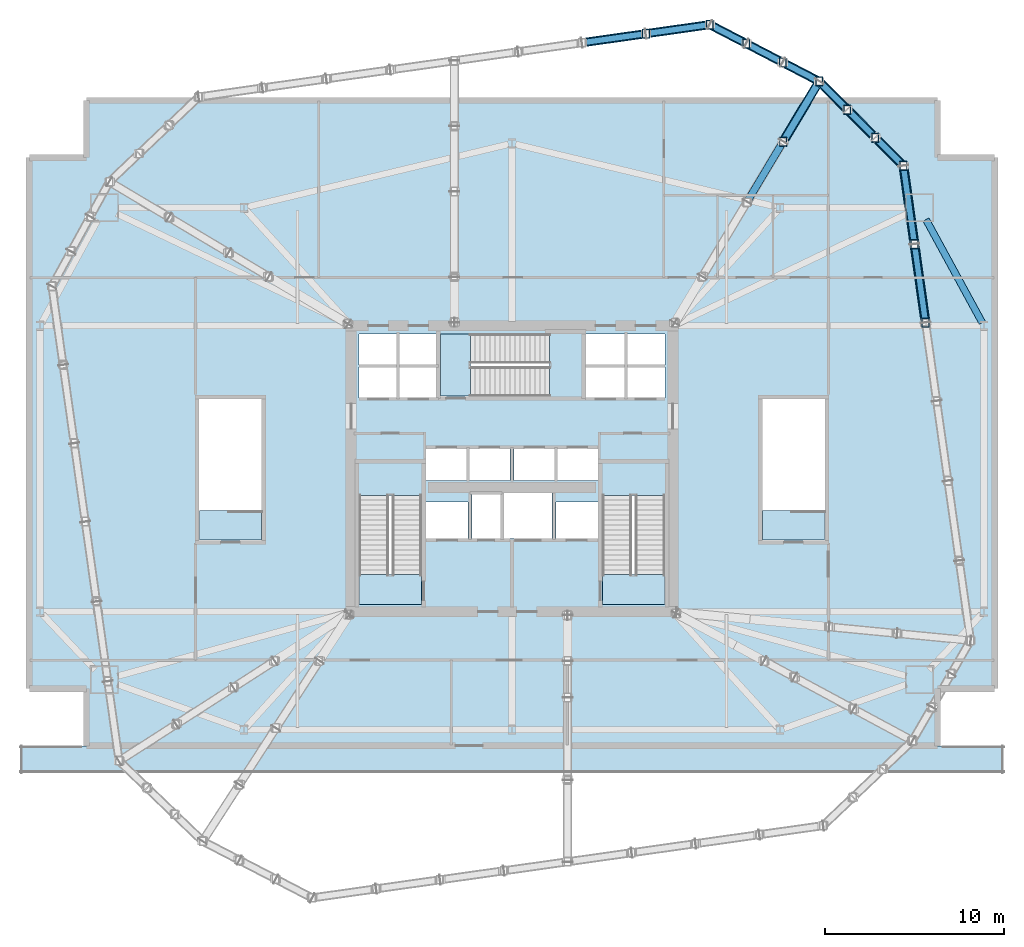
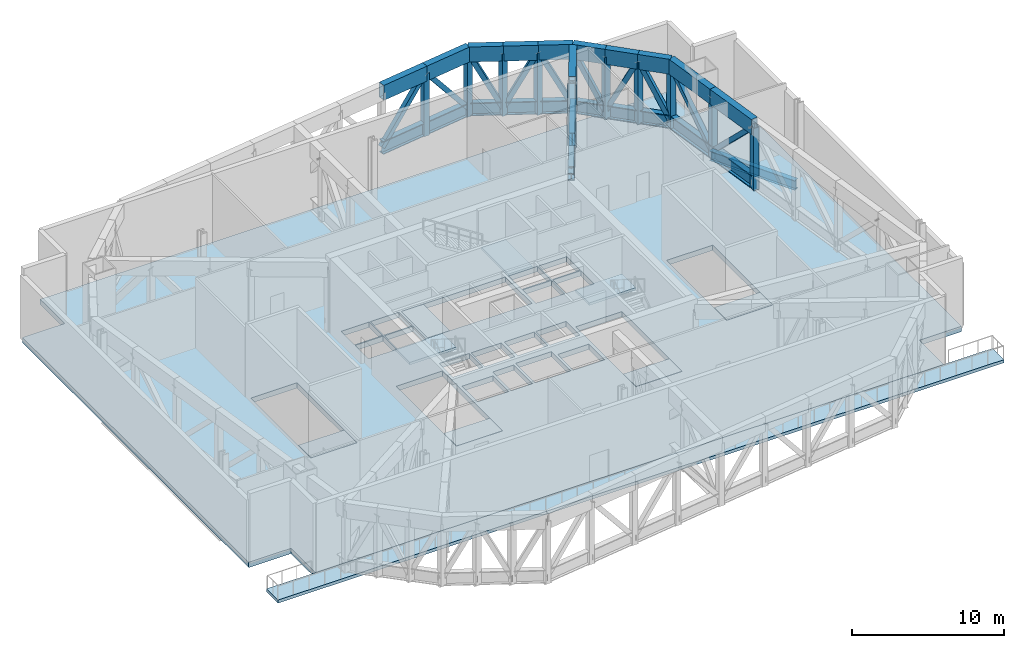
# One storey, part 5 of 15: 46 members, 10 slabs, 1 beam, 3 elements without a shape of their own.
"""IFC4 building model written with IfcOpenShell, lengths in metres."""

from ifc_helpers import new_model, si_unit, direction, frame, origin, origin_2d, place, context, subcontext, project, spatial, polyline, hollow_rectangle, i_section, outline, extrude, material, layer, layer_set, material_profile, profile_set, type_object, element, aggregate, save


model = new_model("IFC4")

# Units and contexts
model_context = context("Model", 3, precision=1e-05, world=origin(), true_north=direction((0.0, 1.0)))
body_context = subcontext(model_context, "Body", "Model", "MODEL_VIEW")
ifc_project = project(units=[si_unit("LENGTHUNIT", "METRE"), si_unit("AREAUNIT", "SQUARE_METRE"), si_unit("VOLUMEUNIT", "CUBIC_METRE"), si_unit("PLANEANGLEUNIT", "RADIAN"), si_unit("MASSUNIT", "GRAM", prefix="KILO")], contexts=[model_context])

# Site, building, storey
site_placement = place(None, origin())
site = spatial("IfcSite", under=ifc_project, at=site_placement, CompositionType="ELEMENT")
building_placement = place(site_placement, origin())
building = spatial("IfcBuilding", under=site, at=building_placement, Name="Haldenkirk Collegiate Tower", CompositionType="ELEMENT")
storey_placement = place(building_placement, frame((0.0, 0.0, 22.199951171875)))
storey = spatial("IfcBuildingStorey", under=building, at=storey_placement, Name="L04", CompositionType="ELEMENT", Elevation=22.199951171875)

# Beam
ifc_material_1 = material(Name="Steel ASTM A992 Grade 50", Category="steel")
ifc_material_profile_1 = material_profile(ifc_material_1, i_section(OverallWidth=0.381103515625, OverallDepth=0.77294921875, WebThickness=0.0166015625, FlangeThickness=0.027099609375, at=origin_2d()), Name="W30X173")
ifc_profile_set_1 = profile_set([ifc_material_profile_1], Name="Steel ASTM A992 Grade 50")
beam_type = type_object("IfcBeamType", Name="BM-GIRDER-W30X173", PredefinedType="BEAM", material=ifc_profile_set_1)
beam_placement = place(storey_placement, frame((62.30419921875, 34.175537109375, -0.806396484375), z_axis=(-0.47883650459, 0.877904096056, 0.0), x_axis=(-0.877904096056, -0.47883650459, 0.0)))
element("IfcBeam", 1, at=beam_placement, inside=storey, type_object=beam_type, Name="L04 podium ring girder 07", PredefinedType="BEAM", context=body_context, shape_type="SweptSolid", body=[
    extrude(i_section(OverallWidth=0.381103515625, OverallDepth=0.77294921875, WebThickness=0.0166015625, FlangeThickness=0.027099609375, at=origin_2d()), origin(), (0.0, 0.0, 1.0), 6.568115234375),
])

# Members
ifc_material_2 = material(Name="Steel ASTM A572 Grade 50", Category="steel")
ifc_material_profile_2 = material_profile(ifc_material_2, hollow_rectangle(XDim=0.5, YDim=1.199951171875, WallThickness=0.050048828125, at=origin_2d()), Name="BOX1200X500X50")
ifc_profile_set_2 = profile_set([ifc_material_profile_2], Name="Steel ASTM A572 Grade 50")
member_type_1 = type_object("IfcMemberType", Name="MBR-CHORD-BOX1200", PredefinedType="CHORD", material=ifc_profile_set_2)
member_1_placement = place(storey_placement, frame((51.164306640625, 44.29541015625, 4.989990234375), z_axis=(0.513710507556, 0.857963585723, 0.0), x_axis=(-0.857963585723, 0.513710507556, 0.0)))
element("IfcMember", 2, at=member_1_placement, inside=storey, type_object=member_type_1, Name="Podium Transfer Truss Radial 03 top chord 4", PredefinedType="CHORD", context=body_context, shape_type="SweptSolid", body=[
    extrude(hollow_rectangle(XDim=0.5, YDim=1.199951171875, WallThickness=0.050048828125, at=origin_2d()), origin(), (0.0, 0.0, 1.0), 3.93310546875),
])
for number, where, z_axis, x_axis, name in (
    (3, (59.133056640625, 34.17529296875, 4.989990234375), (-0.14002482473, 0.990147993211, 0.0), (-0.990147993211, -0.14002482473, 0.0), "Podium Transfer Truss Belt 07 top chord 2"),
    (4, (58.5126953125, 38.56201171875, 4.989990234375), (-0.14002482473, 0.990147993211, 0.0), (-0.990147993211, -0.14002482473, 0.0), "Podium Transfer Truss Belt 07 top chord 3"),
):
    element("IfcMember", number, at=place(storey_placement, frame(where, z_axis=z_axis, x_axis=x_axis)), inside=storey, type_object=member_type_1, Name=name, PredefinedType="CHORD", context=body_context, shape_type="SweptSolid", body=[
        extrude(hollow_rectangle(XDim=0.5, YDim=1.199951171875, WallThickness=0.050048828125, at=origin_2d()), origin(), (0.0, 0.0, 1.0), 4.430419921875),
    ])
for number, where, z_axis, x_axis, name in (
    (5, (57.892333984375, 42.94873046875, 4.989990234375), (-0.706117437743, 0.708094742329, 0.0), (-0.708094742329, -0.706117437743, 0.0), "Podium Transfer Truss Belt 08 top chord 1"),
    (6, (56.322998046875, 44.5224609375, 4.989990234375), (-0.706062352618, 0.70814966936, 0.0), (-0.70814966936, -0.706062352618, 0.0), "Podium Transfer Truss Belt 08 top chord 2"),
    (7, (54.75390625, 46.09619140625, 4.989990234375), (-0.706062352618, 0.70814966936, 0.0), (-0.70814966936, -0.706062352618, 0.0), "Podium Transfer Truss Belt 08 top chord 3"),
):
    element("IfcMember", number, at=place(storey_placement, frame(where, z_axis=z_axis, x_axis=x_axis)), inside=storey, type_object=member_type_1, Name=name, PredefinedType="CHORD", context=body_context, shape_type="SweptSolid", body=[
        extrude(hollow_rectangle(XDim=0.5, YDim=1.199951171875, WallThickness=0.050048828125, at=origin_2d()), origin(), (0.0, 0.0, 1.0), 2.222412109375),
    ])
for number, where, z_axis, x_axis, name in (
    (8, (53.184814453125, 47.669921875, 4.989990234375), (-0.887677333381, 0.460466015903, 0.0), (-0.460466015903, -0.887677333381, 0.0), "Podium Transfer Truss Belt 09 top chord 1"),
    (9, (51.14501953125, 48.72802734375, 4.989990234375), (-0.8876113671, 0.460593162123, 0.0), (-0.460593162123, -0.8876113671, 0.0), "Podium Transfer Truss Belt 09 top chord 2"),
):
    element("IfcMember", number, at=place(storey_placement, frame(where, z_axis=z_axis, x_axis=x_axis)), inside=storey, type_object=member_type_1, Name=name, PredefinedType="CHORD", context=body_context, shape_type="SweptSolid", body=[
        extrude(hollow_rectangle(XDim=0.5, YDim=1.199951171875, WallThickness=0.050048828125, at=origin_2d()), origin(), (0.0, 0.0, 1.0), 2.2978515625),
    ])
member_2_placement = place(storey_placement, frame((49.10546875, 49.786376953125, 4.989990234375), z_axis=(-0.887654803169, 0.460509446604, 0.0), x_axis=(-0.460509446604, -0.887654803169, 0.0)))
element("IfcMember", 10, at=member_2_placement, inside=storey, type_object=member_type_1, Name="Podium Transfer Truss Belt 09 top chord 3", PredefinedType="CHORD", context=body_context, shape_type="SweptSolid", body=[
    extrude(hollow_rectangle(XDim=0.5, YDim=1.199951171875, WallThickness=0.050048828125, at=origin_2d()), origin(), (0.0, 0.0, 1.0), 2.297607421875),
])
for number, where, z_axis, x_axis, name in (
    (11, (47.06591796875, 50.844482421875, 4.989990234375), (-0.99014739658, -0.140029043583, 0.0), (0.140029043583, -0.99014739658, 0.0), "Podium Transfer Truss Belt 10 top chord 1"),
    (12, (43.492431640625, 50.339111328125, 4.989990234375), (-0.990138015248, -0.140095363092, 0.0), (0.140095363092, -0.990138015248, 0.0), "Podium Transfer Truss Belt 10 top chord 2"),
):
    element("IfcMember", number, at=place(storey_placement, frame(where, z_axis=z_axis, x_axis=x_axis)), inside=storey, type_object=member_type_1, Name=name, PredefinedType="CHORD", context=body_context, shape_type="SweptSolid", body=[
        extrude(hollow_rectangle(XDim=0.5, YDim=1.199951171875, WallThickness=0.050048828125, at=origin_2d()), origin(), (0.0, 0.0, 1.0), 3.609130859375),
    ])
ifc_material_3 = material(Name="Steel ASTM A913 Grade 65", Category="steel")
ifc_material_profile_3 = material_profile(ifc_material_3, i_section(OverallWidth=0.4189453125, OverallDepth=1.041015625, WebThickness=0.031005859375, FlangeThickness=0.055908203125, at=origin_2d()), Name="W40X397")
ifc_profile_set_3 = profile_set([ifc_material_profile_3], Name="Steel ASTM A913 Grade 65")
member_type_2 = type_object("IfcMemberType", Name="MBR-CHORD-W40X397", PredefinedType="CHORD", material=ifc_profile_set_3)
for number, where, z_axis, x_axis, name in (
    (13, (49.143798828125, 40.9208984375, 0.550048828125), (0.513710507556, 0.857963585723, 0.0), (-0.857963585723, 0.513710507556, 0.0), "Podium Transfer Truss Radial 03 bottom chord 3"),
    (14, (51.164306640625, 44.29541015625, 0.550048828125), (0.513710507556, 0.857963585723, 0.0), (-0.857963585723, 0.513710507556, 0.0), "Podium Transfer Truss Radial 03 bottom chord 4"),
):
    element("IfcMember", number, at=place(storey_placement, frame(where, z_axis=z_axis, x_axis=x_axis)), inside=storey, type_object=member_type_2, Name=name, PredefinedType="CHORD", context=body_context, shape_type="SweptSolid", body=[
        extrude(i_section(OverallWidth=0.4189453125, OverallDepth=1.041015625, WebThickness=0.031005859375, FlangeThickness=0.055908203125, at=origin_2d()), origin(), (0.0, 0.0, 1.0), 3.93310546875),
    ])
for number, where, z_axis, x_axis, name in (
    (15, (59.133056640625, 34.17529296875, 0.550048828125), (-0.14002482473, 0.990147993211, 0.0), (-0.990147993211, -0.14002482473, 0.0), "Podium Transfer Truss Belt 07 bottom chord 2"),
    (16, (58.5126953125, 38.56201171875, 0.550048828125), (-0.14002482473, 0.990147993211, 0.0), (-0.990147993211, -0.14002482473, 0.0), "Podium Transfer Truss Belt 07 bottom chord 3"),
):
    element("IfcMember", number, at=place(storey_placement, frame(where, z_axis=z_axis, x_axis=x_axis)), inside=storey, type_object=member_type_2, Name=name, PredefinedType="CHORD", context=body_context, shape_type="SweptSolid", body=[
        extrude(i_section(OverallWidth=0.4189453125, OverallDepth=1.041015625, WebThickness=0.031005859375, FlangeThickness=0.055908203125, at=origin_2d()), origin(), (0.0, 0.0, 1.0), 4.430419921875),
    ])
for number, where, z_axis, x_axis, name in (
    (17, (57.892333984375, 42.94873046875, 0.550048828125), (-0.706117437743, 0.708094742329, 0.0), (-0.708094742329, -0.706117437743, 0.0), "Podium Transfer Truss Belt 08 bottom chord 1"),
    (18, (56.322998046875, 44.5224609375, 0.550048828125), (-0.706062352618, 0.70814966936, 0.0), (-0.70814966936, -0.706062352618, 0.0), "Podium Transfer Truss Belt 08 bottom chord 2"),
    (19, (54.75390625, 46.09619140625, 0.550048828125), (-0.706062352618, 0.70814966936, 0.0), (-0.70814966936, -0.706062352618, 0.0), "Podium Transfer Truss Belt 08 bottom chord 3"),
):
    element("IfcMember", number, at=place(storey_placement, frame(where, z_axis=z_axis, x_axis=x_axis)), inside=storey, type_object=member_type_2, Name=name, PredefinedType="CHORD", context=body_context, shape_type="SweptSolid", body=[
        extrude(i_section(OverallWidth=0.4189453125, OverallDepth=1.041015625, WebThickness=0.031005859375, FlangeThickness=0.055908203125, at=origin_2d()), origin(), (0.0, 0.0, 1.0), 2.222412109375),
    ])
for number, where, z_axis, x_axis, name in (
    (20, (53.184814453125, 47.669921875, 0.550048828125), (-0.887677333381, 0.460466015903, 0.0), (-0.460466015903, -0.887677333381, 0.0), "Podium Transfer Truss Belt 09 bottom chord 1"),
    (21, (51.14501953125, 48.72802734375, 0.550048828125), (-0.8876113671, 0.460593162123, 0.0), (-0.460593162123, -0.8876113671, 0.0), "Podium Transfer Truss Belt 09 bottom chord 2"),
):
    element("IfcMember", number, at=place(storey_placement, frame(where, z_axis=z_axis, x_axis=x_axis)), inside=storey, type_object=member_type_2, Name=name, PredefinedType="CHORD", context=body_context, shape_type="SweptSolid", body=[
        extrude(i_section(OverallWidth=0.4189453125, OverallDepth=1.041015625, WebThickness=0.031005859375, FlangeThickness=0.055908203125, at=origin_2d()), origin(), (0.0, 0.0, 1.0), 2.2978515625),
    ])
member_3_placement = place(storey_placement, frame((49.10546875, 49.786376953125, 0.550048828125), z_axis=(-0.887654803169, 0.460509446604, 0.0), x_axis=(-0.460509446604, -0.887654803169, 0.0)))
element("IfcMember", 22, at=member_3_placement, inside=storey, type_object=member_type_2, Name="Podium Transfer Truss Belt 09 bottom chord 3", PredefinedType="CHORD", context=body_context, shape_type="SweptSolid", body=[
    extrude(i_section(OverallWidth=0.4189453125, OverallDepth=1.041015625, WebThickness=0.031005859375, FlangeThickness=0.055908203125, at=origin_2d()), origin(), (0.0, 0.0, 1.0), 2.297607421875),
])
for number, where, z_axis, x_axis, name in (
    (23, (47.06591796875, 50.844482421875, 0.550048828125), (-0.99014739658, -0.140029043583, 0.0), (0.140029043583, -0.99014739658, 0.0), "Podium Transfer Truss Belt 10 bottom chord 1"),
    (24, (43.492431640625, 50.339111328125, 0.550048828125), (-0.990138015248, -0.140095363092, 0.0), (0.140095363092, -0.990138015248, 0.0), "Podium Transfer Truss Belt 10 bottom chord 2"),
):
    element("IfcMember", number, at=place(storey_placement, frame(where, z_axis=z_axis, x_axis=x_axis)), inside=storey, type_object=member_type_2, Name=name, PredefinedType="CHORD", context=body_context, shape_type="SweptSolid", body=[
        extrude(i_section(OverallWidth=0.4189453125, OverallDepth=1.041015625, WebThickness=0.031005859375, FlangeThickness=0.055908203125, at=origin_2d()), origin(), (0.0, 0.0, 1.0), 3.609130859375),
    ])
ifc_material_profile_4 = material_profile(ifc_material_2, hollow_rectangle(XDim=0.35009765625, YDim=0.35009765625, WallThickness=0.01611328125, at=origin_2d()), Name="HSS350X350X16")
ifc_profile_set_4 = profile_set([ifc_material_profile_4], Name="Steel ASTM A572 Grade 50")
member_type_3 = type_object("IfcMemberType", Name="MBR-TRUSSDIAG-HSS350X350X16", PredefinedType="BRACE", material=ifc_profile_set_4)
for number, where, z_axis, x_axis, name in (
    (25, (59.133056640625, 34.17529296875, 4.989990234375), (-0.098905570915, 0.699384218103, -0.707869623243), (-0.990147993211, -0.14002482473, 0.0), "Podium Transfer Truss Belt 07 web diagonal 2"),
    (26, (58.5126953125, 38.56201171875, 0.550048828125), (-0.098905570915, 0.699384218103, 0.707869623243), (-0.990147993211, -0.14002482473, 0.0), "Podium Transfer Truss Belt 07 web diagonal 3"),
):
    element("IfcMember", number, at=place(storey_placement, frame(where, z_axis=z_axis, x_axis=x_axis)), inside=storey, type_object=member_type_3, Name=name, PredefinedType="BRACE", context=body_context, shape_type="SweptSolid", body=[
        extrude(hollow_rectangle(XDim=0.35009765625, YDim=0.35009765625, WallThickness=0.01611328125, at=origin_2d()), origin(), (0.0, 0.0, 1.0), 6.272216796875),
    ])
for number, where, z_axis, x_axis, name in (
    (27, (57.892333984375, 42.94873046875, 0.550048828125), (-0.31607142732, 0.31695650599, 0.894224483081), (-0.708094742329, -0.706117437743, 0.0), "Podium Transfer Truss Belt 08 web diagonal 1"),
    (28, (56.322998046875, 44.5224609375, 4.989990234375), (-0.316027167494, 0.316961431721, -0.894238379968), (-0.70814966936, -0.706062352618, 0.0), "Podium Transfer Truss Belt 08 web diagonal 2"),
    (29, (54.75390625, 46.09619140625, 0.550048828125), (-0.316027167494, 0.316961431721, 0.894238379968), (-0.70814966936, -0.706062352618, 0.0), "Podium Transfer Truss Belt 08 web diagonal 3"),
):
    element("IfcMember", number, at=place(storey_placement, frame(where, z_axis=z_axis, x_axis=x_axis)), inside=storey, type_object=member_type_3, Name=name, PredefinedType="BRACE", context=body_context, shape_type="SweptSolid", body=[
        extrude(hollow_rectangle(XDim=0.35009765625, YDim=0.35009765625, WallThickness=0.01611328125, at=origin_2d()), origin(), (0.0, 0.0, 1.0), 4.965087890625),
    ])
for number, where, z_axis, x_axis, name in (
    (30, (53.184814453125, 47.669921875, 0.550048828125), (-0.408012599144, 0.211648905409, 0.888104982409), (-0.460466015903, -0.887677333381, 0.0), "Podium Transfer Truss Belt 09 web diagonal 1"),
    (31, (51.14501953125, 48.72802734375, 4.989990234375), (-0.407967675784, 0.211699769515, -0.888113496746), (-0.460593162123, -0.8876113671, 0.0), "Podium Transfer Truss Belt 09 web diagonal 2"),
    (32, (49.10546875, 49.786376953125, 0.550048828125), (-0.40797189308, 0.21165312241, 0.888122677467), (-0.460509446604, -0.887654803169, 0.0), "Podium Transfer Truss Belt 09 web diagonal 3"),
):
    element("IfcMember", number, at=place(storey_placement, frame(where, z_axis=z_axis, x_axis=x_axis)), inside=storey, type_object=member_type_3, Name=name, PredefinedType="BRACE", context=body_context, shape_type="SweptSolid", body=[
        extrude(hollow_rectangle(XDim=0.35009765625, YDim=0.35009765625, WallThickness=0.01611328125, at=origin_2d()), origin(), (0.0, 0.0, 1.0), 4.999267578125),
    ])
for number, where, z_axis, x_axis, name in (
    (33, (47.06591796875, 50.844482421875, 0.550048828125), (-0.624545621245, -0.088324754798, 0.775977773312), (0.140029043583, -0.99014739658, 0.0), "Podium Transfer Truss Belt 10 web diagonal 1"),
    (34, (43.492431640625, 50.339111328125, 4.989990234375), (-0.624543266949, -0.08836709065, -0.775974848174), (0.140095363092, -0.990138015248, 0.0), "Podium Transfer Truss Belt 10 web diagonal 2"),
):
    element("IfcMember", number, at=place(storey_placement, frame(where, z_axis=z_axis, x_axis=x_axis)), inside=storey, type_object=member_type_3, Name=name, PredefinedType="BRACE", context=body_context, shape_type="SweptSolid", body=[
        extrude(hollow_rectangle(XDim=0.35009765625, YDim=0.35009765625, WallThickness=0.01611328125, at=origin_2d()), origin(), (0.0, 0.0, 1.0), 5.7216796875),
    ])
ifc_material_profile_5 = material_profile(ifc_material_2, hollow_rectangle(XDim=0.39990234375, YDim=0.5, WallThickness=0.02490234375, at=origin_2d()), Name="HSS500X400X25")
ifc_profile_set_5 = profile_set([ifc_material_profile_5], Name="Steel ASTM A572 Grade 50")
member_type_4 = type_object("IfcMemberType", Name="MBR-TRUSSDIAG-HSS500X400X25", PredefinedType="BRACE", material=ifc_profile_set_5)
for number, where, z_axis, x_axis, name in (
    (35, (49.143798828125, 40.9208984375, 0.550048828125), (0.340639462398, 0.568912354914, 0.748534227062), (-0.857963585723, 0.513710507556, 0.0), "Podium Transfer Truss Radial 03 web diagonal 3"),
    (36, (51.164306640625, 44.29541015625, 4.989990234375), (0.340639462398, 0.568912354914, -0.748534227062), (-0.857963585723, 0.513710507556, 0.0), "Podium Transfer Truss Radial 03 web diagonal 4"),
):
    element("IfcMember", number, at=place(storey_placement, frame(where, z_axis=z_axis, x_axis=x_axis)), inside=storey, type_object=member_type_4, Name=name, PredefinedType="BRACE", context=body_context, shape_type="SweptSolid", body=[
        extrude(hollow_rectangle(XDim=0.39990234375, YDim=0.5, WallThickness=0.02490234375, at=origin_2d()), origin(), (0.0, 0.0, 1.0), 5.931396484375),
    ])
ifc_material_profile_6 = material_profile(ifc_material_2, hollow_rectangle(XDim=0.39990234375, YDim=0.5, WallThickness=0.02490234375, at=origin_2d()), Name="HSS500X400X25")
ifc_profile_set_6 = profile_set([ifc_material_profile_6], Name="Steel ASTM A572 Grade 50")
member_type_5 = type_object("IfcMemberType", Name="MBR-TRUSSPOST-HSS500X400X25", PredefinedType="POST", material=ifc_profile_set_6)
for number, where, z_axis, x_axis, name in (
    (37, (51.164306640625, 44.29541015625, 0.0), (0.0, 0.0, 1.0), (1.0, 0.0, 0.0), "Podium Transfer Truss Radial 03 vertical post 4"),
    (38, (53.184814453125, 47.669921875, 0.0), (0.0, 0.0, 1.0), (1.0, 0.0, 0.0), "Podium Transfer Truss Radial 03 vertical post 5"),
    (39, (59.133056640625, 34.17529296875, 0.0), (0.0, 0.0, 1.0), (1.0, 0.0, 0.0), "Podium Transfer Truss Belt 07 vertical post 2"),
    (40, (58.5126953125, 38.56201171875, 0.0), (0.0, 0.0, 1.0), (1.0, 0.0, 0.0), "Podium Transfer Truss Belt 07 vertical post 3"),
    (41, (57.892333984375, 42.94873046875, 0.0), (0.0, 0.0, 1.0), (1.0, 0.0, 0.0), "Podium Transfer Truss Belt 07 vertical post 4"),
    (42, (56.322998046875, 44.5224609375, 0.0), (0.0, 0.0, 1.0), (1.0, 0.0, 0.0), "Podium Transfer Truss Belt 08 vertical post 2"),
    (43, (54.75390625, 46.09619140625, 0.0), (0.0, 0.0, 1.0), (1.0, 0.0, 0.0), "Podium Transfer Truss Belt 08 vertical post 3"),
    (44, (51.14501953125, 48.72802734375, 0.0), (0.0, 0.0, 1.0), (1.0, 0.0, 0.0), "Podium Transfer Truss Belt 09 vertical post 2"),
    (45, (49.10546875, 49.786376953125, 0.0), (0.0, 0.0, 1.0), (1.0, 0.0, 0.0), "Podium Transfer Truss Belt 09 vertical post 3"),
    (46, (47.06591796875, 50.844482421875, 0.0), (0.0, 0.0, 1.0), (1.0, 0.0, 0.0), "Podium Transfer Truss Belt 09 vertical post 4"),
    (47, (43.492431640625, 50.339111328125, 0.0), (0.0, 0.0, 1.0), (1.0, 0.0, 0.0), "Podium Transfer Truss Belt 10 vertical post 2"),
):
    element("IfcMember", number, at=place(storey_placement, frame(where, z_axis=z_axis, x_axis=x_axis)), inside=storey, type_object=member_type_5, Name=name, PredefinedType="POST", context=body_context, shape_type="SweptSolid", body=[
        extrude(hollow_rectangle(XDim=0.39990234375, YDim=0.5, WallThickness=0.02490234375, at=origin_2d()), origin(), (0.0, 0.0, 1.0), 4.989990234375),
    ])

# Slab
ifc_material_4 = material(Name="Concrete f'c 40 MPa", Category="concrete")
ifc_layer_1 = layer(ifc_material_4, 0.419921875)
ifc_layer_set_1 = layer_set([ifc_layer_1], Name="Concrete f'c 40 MPa")
slab_type_1 = type_object("IfcSlabType", Name="SLB-FLR-420", PredefinedType="FLOOR", material=ifc_layer_set_1)
slab_1_placement = place(storey_placement, frame((0.0, 0.0, -0.419921875)))
element("IfcSlab", 48, at=slab_1_placement, inside=storey, type_object=slab_type_1, Name="L04 composite structural floor slab", PredefinedType="FLOOR", context=body_context, shape_type="SweptSolid", body=[
    extrude(outline(polyline([(12.199951171875, 10.5), (59.800048828125, 10.5), (59.800048828125, 13.699951171875), (63.0, 13.699951171875), (63.0, 43.39990234375), (59.800048828125, 43.39990234375), (59.800048828125, 46.60009765625), (12.199951171875, 46.60009765625), (12.199951171875, 43.39990234375), (9.0, 43.39990234375), (9.0, 13.699951171875), (12.199951171875, 13.699951171875), (12.199951171875, 10.5)]), holes=[polyline([(27.449951171875, 18.39990234375), (30.949951171875, 18.39990234375), (30.949951171875, 26.300048828125), (27.449951171875, 26.300048828125), (27.449951171875, 18.39990234375)]), polyline([(41.050048828125, 18.39990234375), (44.550048828125, 18.39990234375), (44.550048828125, 26.300048828125), (41.050048828125, 26.300048828125), (41.050048828125, 18.39990234375)]), polyline([(32.0, 30.050048828125), (39.89990234375, 30.050048828125), (39.89990234375, 33.550048828125), (32.0, 33.550048828125), (32.0, 30.050048828125)]), polyline([(33.75, 22.10009765625), (35.35009765625, 22.10009765625), (35.35009765625, 24.550048828125), (33.75, 24.550048828125), (33.75, 22.10009765625)]), polyline([(18.5, 22.0), (22.0, 22.0), (22.0, 29.89990234375), (18.5, 29.89990234375), (18.5, 22.0)]), polyline([(50.0, 22.0), (53.5, 22.0), (53.5, 29.89990234375), (50.0, 29.89990234375), (50.0, 22.0)]), polyline([(27.449951171875, 29.949951171875), (29.580078125, 29.949951171875), (29.580078125, 31.699951171875), (27.449951171875, 31.699951171875), (27.449951171875, 29.949951171875)]), polyline([(29.679931640625, 29.949951171875), (31.85009765625, 29.949951171875), (31.85009765625, 31.699951171875), (29.679931640625, 31.699951171875), (29.679931640625, 29.949951171875)]), polyline([(27.449951171875, 31.800048828125), (29.580078125, 31.800048828125), (29.580078125, 33.550048828125), (27.449951171875, 33.550048828125), (27.449951171875, 31.800048828125)]), polyline([(29.679931640625, 31.800048828125), (31.85009765625, 31.800048828125), (31.85009765625, 33.550048828125), (29.679931640625, 33.550048828125), (29.679931640625, 31.800048828125)]), polyline([(40.14990234375, 29.949951171875), (42.320068359375, 29.949951171875), (42.320068359375, 31.699951171875), (40.14990234375, 31.699951171875), (40.14990234375, 29.949951171875)]), polyline([(42.419921875, 29.949951171875), (44.550048828125, 29.949951171875), (44.550048828125, 31.699951171875), (42.419921875, 31.699951171875), (42.419921875, 29.949951171875)]), polyline([(40.14990234375, 31.800048828125), (42.320068359375, 31.800048828125), (42.320068359375, 33.550048828125), (40.14990234375, 33.550048828125), (40.14990234375, 31.800048828125)]), polyline([(42.419921875, 31.800048828125), (44.550048828125, 31.800048828125), (44.550048828125, 33.550048828125), (42.419921875, 33.550048828125), (42.419921875, 31.800048828125)]), polyline([(31.199951171875, 25.35009765625), (33.47998046875, 25.35009765625), (33.47998046875, 27.14990234375), (31.199951171875, 27.14990234375), (31.199951171875, 25.35009765625)]), polyline([(33.60009765625, 25.35009765625), (35.8798828125, 25.35009765625), (35.8798828125, 27.14990234375), (33.60009765625, 27.14990234375), (33.60009765625, 25.35009765625)]), polyline([(36.1201171875, 25.35009765625), (38.39990234375, 25.35009765625), (38.39990234375, 27.14990234375), (36.1201171875, 27.14990234375), (36.1201171875, 25.35009765625)]), polyline([(38.52001953125, 25.35009765625), (40.800048828125, 25.35009765625), (40.800048828125, 27.14990234375), (38.52001953125, 27.14990234375), (38.52001953125, 25.35009765625)]), polyline([(31.199951171875, 22.10009765625), (33.550048828125, 22.10009765625), (33.550048828125, 24.14990234375), (31.199951171875, 24.14990234375), (31.199951171875, 22.10009765625)]), polyline([(38.449951171875, 22.10009765625), (40.800048828125, 22.10009765625), (40.800048828125, 24.14990234375), (38.449951171875, 24.14990234375), (38.449951171875, 22.10009765625)]), polyline([(35.550048828125, 22.10009765625), (38.25, 22.10009765625), (38.25, 24.64990234375), (35.550048828125, 24.64990234375), (35.550048828125, 22.10009765625)])]), origin(), (0.0, 0.0, 1.0), 0.419921875),
])

# Stair, slab
stair_type = type_object("IfcStairType", Name="STR-DOGLEG-1650", PredefinedType="HALF_TURN_STAIR", material=ifc_material_4)
stair_1_placement = place(storey_placement, origin())
stair_1 = element("IfcStair", 49, at=stair_1_placement, inside=storey, type_object=stair_type, Name="L04 Core Exit Stair ST-1", PredefinedType="HALF_TURN_STAIR")
ifc_layer_2 = layer(ifc_material_4, 0.199951171875)
ifc_layer_set_2 = layer_set([ifc_layer_2], Name="Concrete f'c 40 MPa")
slab_type_2 = type_object("IfcSlabType", Name="SLB-LANDING-200", PredefinedType="LANDING", material=ifc_layer_set_2)
slab_2_placement = place(storey_placement, frame((0.0, 0.0, 2.800048828125)))
slab_2 = element("IfcSlab", 50, at=slab_2_placement, type_object=slab_type_2, Name="ST-1 landing 1", PredefinedType="LANDING", context=body_context, shape_type="SweptSolid", body=[
    extrude(outline(polyline([(30.97509765625, 24.5048828125), (27.425048828125, 24.5048828125), (27.425048828125, 26.324951171875), (30.97509765625, 26.324951171875), (30.97509765625, 24.5048828125)])), origin(), (0.0, 0.0, 1.0), 0.199951171875),
])
aggregate(stair_1, [slab_2])

stair_2_placement = place(storey_placement, origin())
stair_2 = element("IfcStair", 51, at=stair_2_placement, inside=storey, type_object=stair_type, Name="L04 Core Exit Stair ST-2", PredefinedType="HALF_TURN_STAIR")
slab_3_placement = place(storey_placement, frame((0.0, 0.0, 2.800048828125)))
slab_3 = element("IfcSlab", 52, at=slab_3_placement, type_object=slab_type_2, Name="ST-2 landing 1", PredefinedType="LANDING", context=body_context, shape_type="SweptSolid", body=[
    extrude(outline(polyline([(44.574951171875, 24.5048828125), (41.02490234375, 24.5048828125), (41.02490234375, 26.324951171875), (44.574951171875, 26.324951171875), (44.574951171875, 24.5048828125)])), origin(), (0.0, 0.0, 1.0), 0.199951171875),
])
aggregate(stair_2, [slab_3])

stair_3_placement = place(storey_placement, origin())
stair_3 = element("IfcStair", 53, at=stair_3_placement, inside=storey, type_object=stair_type, Name="L04 Core Exit Stair ST-3", PredefinedType="HALF_TURN_STAIR")
slab_4_placement = place(storey_placement, frame((0.0, 0.0, 2.800048828125)))
slab_4 = element("IfcSlab", 54, at=slab_4_placement, type_object=slab_type_2, Name="ST-3 landing 1", PredefinedType="LANDING", context=body_context, shape_type="SweptSolid", body=[
    extrude(outline(polyline([(38.10498046875, 30.02490234375), (38.10498046875, 33.574951171875), (39.925048828125, 33.574951171875), (39.925048828125, 30.02490234375), (38.10498046875, 30.02490234375)])), origin(), (0.0, 0.0, 1.0), 0.199951171875),
])
aggregate(stair_3, [slab_4])

# Slabs
ifc_layer_3 = layer(ifc_material_4, 0.25)
ifc_layer_set_3 = layer_set([ifc_layer_3], Name="Concrete f'c 40 MPa")
slab_type_3 = type_object("IfcSlabType", Name="SLB-STAIRLAND-250", PredefinedType="LANDING", material=ifc_layer_set_3)
slab_5_placement = place(storey_placement, frame((0.0, 0.0, -0.25)))
element("IfcSlab", 55, at=slab_5_placement, inside=storey, type_object=slab_type_3, Name="L04 stair ST1 structural floor landing slab", PredefinedType="LANDING", context=body_context, shape_type="SweptSolid", body=[
    extrude(outline(polyline([(27.4599609375, 18.409912109375), (30.93994140625, 18.409912109375), (30.93994140625, 20.080078125), (27.4599609375, 20.080078125), (27.4599609375, 18.409912109375)])), origin(), (0.0, 0.0, 1.0), 0.25),
])
slab_6_placement = place(storey_placement, frame((0.0, 0.0, -0.25)))
element("IfcSlab", 56, at=slab_6_placement, inside=storey, type_object=slab_type_3, Name="L04 stair ST2 structural floor landing slab", PredefinedType="LANDING", context=body_context, shape_type="SweptSolid", body=[
    extrude(outline(polyline([(41.06005859375, 18.409912109375), (44.5400390625, 18.409912109375), (44.5400390625, 20.080078125), (41.06005859375, 20.080078125), (41.06005859375, 18.409912109375)])), origin(), (0.0, 0.0, 1.0), 0.25),
])
slab_7_placement = place(storey_placement, frame((0.0, 0.0, -0.25)))
element("IfcSlab", 57, at=slab_7_placement, inside=storey, type_object=slab_type_3, Name="L04 stair ST3 structural floor landing slab", PredefinedType="LANDING", context=body_context, shape_type="SweptSolid", body=[
    extrude(outline(polyline([(32.010009765625, 30.06005859375), (33.679931640625, 30.06005859375), (33.679931640625, 33.5400390625), (32.010009765625, 33.5400390625), (32.010009765625, 30.06005859375)])), origin(), (0.0, 0.0, 1.0), 0.25),
])
slab_8_placement = place(storey_placement, frame((0.0, 0.0, -0.25)))
element("IfcSlab", 58, at=slab_8_placement, inside=storey, type_object=slab_type_3, Name="L04 stair ST4 structural floor landing slab", PredefinedType="LANDING", context=body_context, shape_type="SweptSolid", body=[
    extrude(outline(polyline([(18.510009765625, 22.010009765625), (21.989990234375, 22.010009765625), (21.989990234375, 23.679931640625), (18.510009765625, 23.679931640625), (18.510009765625, 22.010009765625)])), origin(), (0.0, 0.0, 1.0), 0.25),
])
slab_9_placement = place(storey_placement, frame((0.0, 0.0, -0.25)))
element("IfcSlab", 59, at=slab_9_placement, inside=storey, type_object=slab_type_3, Name="L04 stair ST5 structural floor landing slab", PredefinedType="LANDING", context=body_context, shape_type="SweptSolid", body=[
    extrude(outline(polyline([(50.010009765625, 22.010009765625), (53.489990234375, 22.010009765625), (53.489990234375, 23.679931640625), (50.010009765625, 23.679931640625), (50.010009765625, 22.010009765625)])), origin(), (0.0, 0.0, 1.0), 0.25),
])
ifc_layer_4 = layer(ifc_material_4, 0.25)
ifc_layer_set_4 = layer_set([ifc_layer_4], Name="Concrete f'c 40 MPa")
slab_type_4 = type_object("IfcSlabType", Name="SLB-TERR-POD-250", PredefinedType="FLOOR", material=ifc_layer_set_4)
slab_10_placement = place(storey_placement, frame((0.0, 0.0, -0.25)))
element("IfcSlab", 60, at=slab_10_placement, inside=storey, type_object=slab_type_4, Name="L04 cascading podium garden terrace 1", PredefinedType="FLOOR", context=body_context, shape_type="SweptSolid", body=[
    extrude(outline(polyline([(8.5, 9.0), (63.5, 9.0), (63.5, 10.5), (8.5, 10.5), (8.5, 9.0)])), origin(), (0.0, 0.0, 1.0), 0.25),
])

save(model, "model.ifc")
